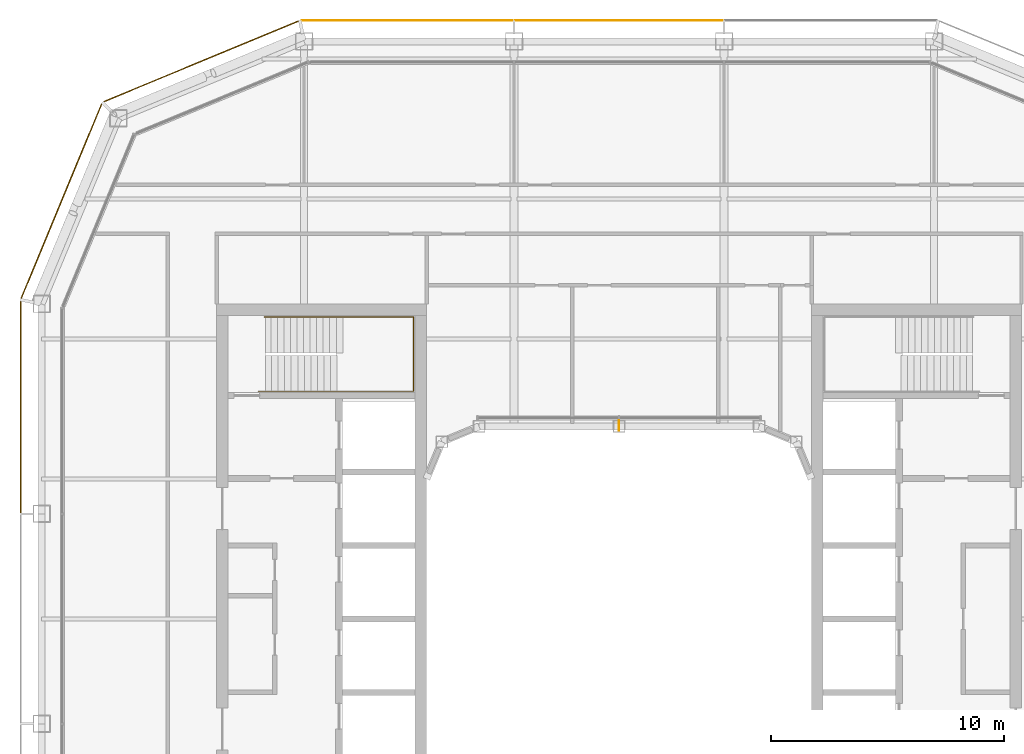
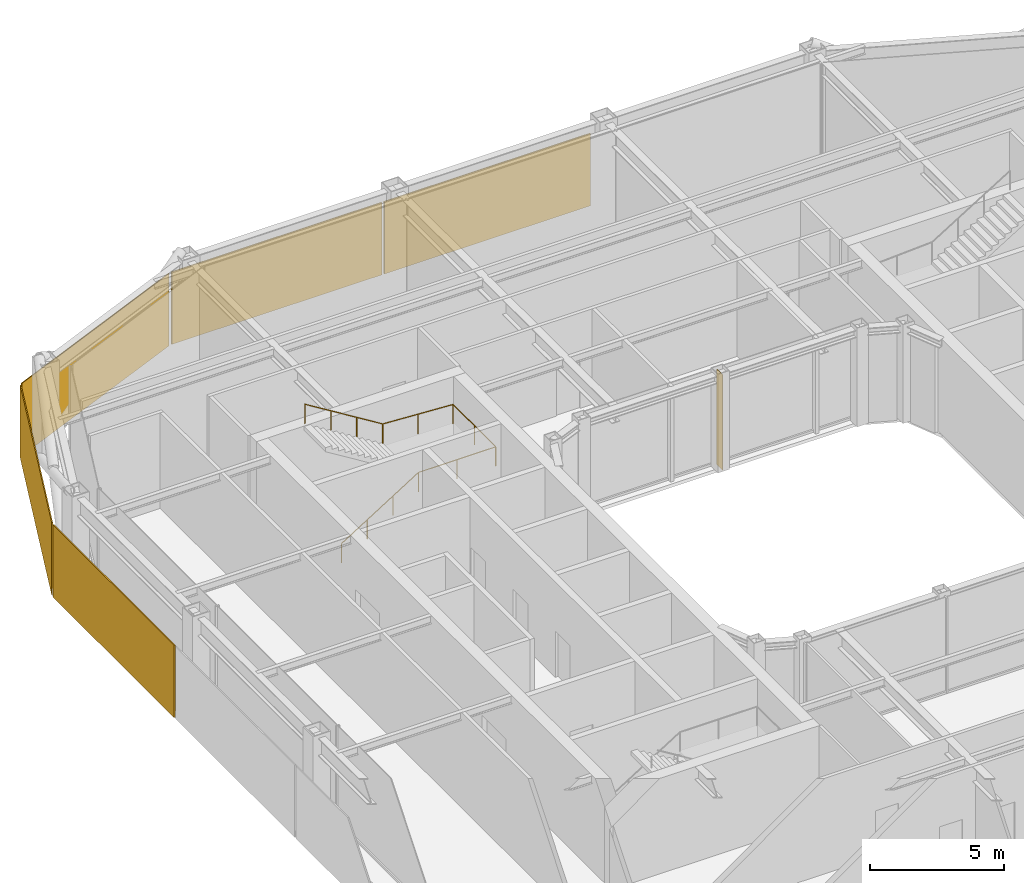
# One storey, part 16 of 17: 5 coverings, 1 railing, 1 shading device.
"""IFC4 building model written with IfcOpenShell, lengths in metres."""

import ifcopenshell
import ifcopenshell.guid

model = None  # the IFC model being written
_history = None  # IfcOwnerHistory: only IFC2X3 demands one
_inside = {}  # id of a spatial element -> (the spatial element, [elements in it])
_under = {}  # id of a project, library or spatial element -> (it, [spatial elements below it])
_declared = {}  # id of a project -> (the project, [libraries it declares])
_typed = {}  # id of a type object -> (the type object, [elements of that type])
_made_of = {}  # id of a material, layer set ... -> (it, [elements and type objects made of it])


def new_model(schema):
    """Start an empty IFC model of exactly this schema.

    Asked for "IFC4X3", IfcOpenShell would pick the latest addendum, in which some entities
    have other attributes; the version numbers below select the first issue.
    IFC2X3 requires an IfcOwnerHistory on every rooted entity: one is made here for all.
    """
    global model, _history
    if schema == "IFC4X3":
        model = ifcopenshell.file(schema_version=(4, 3, 0, 0))
    else:
        model = ifcopenshell.file(schema=schema)
    _inside.clear()
    _under.clear()
    _declared.clear()
    _typed.clear()
    _made_of.clear()
    _history = None
    if model.schema == "IFC2X3":
        org = make("IfcOrganization", Name="unknown")
        user = make(
            "IfcPersonAndOrganization",
            ThePerson=make("IfcPerson", FamilyName="unknown"),
            TheOrganization=org,
        )
        app = make(
            "IfcApplication",
            ApplicationDeveloper=org,
            Version="unknown",
            ApplicationFullName="unknown",
            ApplicationIdentifier="unknown",
        )
        _history = make(
            "IfcOwnerHistory",
            OwningUser=user,
            OwningApplication=app,
            ChangeAction="ADDED",
            CreationDate=0,
        )
    return model


def make(cls, **values):
    """One entity of the class cls with the attributes given. An attribute that is None is left unset."""
    return model.create_entity(
        cls, **{name: value for name, value in values.items() if value is not None}
    )


def rooted(cls, **values):
    """An entity with a GlobalId (a new one), such as an element, a storey or a relation."""
    return make(cls, GlobalId=ifcopenshell.guid.new(), OwnerHistory=_history, **values)


def si_unit(unit_type, name, prefix=None):
    """IfcSIUnit, for example si_unit("LENGTHUNIT", "METRE", prefix="MILLI")."""
    return make("IfcSIUnit", UnitType=unit_type, Prefix=prefix, Name=name)


def assignment(units):
    """IfcUnitAssignment: the units of a project."""
    return None if units is None else make("IfcUnitAssignment", Units=units)


def point(xyz):
    """IfcCartesianPoint."""
    return None if xyz is None else make("IfcCartesianPoint", Coordinates=xyz)


def direction(xyz):
    """IfcDirection."""
    return None if xyz is None else make("IfcDirection", DirectionRatios=xyz)


def frame(location, z_axis=None, x_axis=None):
    """IfcAxis2Placement3D, a coordinate frame: its origin and axes. An axis left out is left unset."""
    return make(
        "IfcAxis2Placement3D",
        Location=point(location),
        Axis=direction(z_axis),
        RefDirection=direction(x_axis),
    )


def frame_2d(location, x_axis=None):
    """IfcAxis2Placement2D, a coordinate frame in the plane: its origin and x axis."""
    return make(
        "IfcAxis2Placement2D", Location=point(location), RefDirection=direction(x_axis)
    )


def origin():
    """The frame at (0, 0, 0) with its axes left unset."""
    return frame((0.0, 0.0, 0.0))


def origin_2d():
    """The frame at (0, 0) in the plane with its x axis left unset."""
    return frame_2d((0.0, 0.0))


def place(relative_to, where):
    """IfcLocalPlacement: puts the frame where relative to a parent placement (None: the world)."""
    return make(
        "IfcLocalPlacement", PlacementRelTo=relative_to, RelativePlacement=where
    )


def context(
    kind, dimensions, precision=None, world=None, true_north=None, identifier=None
):
    """IfcGeometricRepresentationContext, for example the 3D "Model" context."""
    return make(
        "IfcGeometricRepresentationContext",
        ContextIdentifier=identifier,
        ContextType=kind,
        CoordinateSpaceDimension=dimensions,
        Precision=precision,
        WorldCoordinateSystem=world,
        TrueNorth=true_north,
    )


def subcontext(parent, identifier, kind, view, scale=None):
    """IfcGeometricRepresentationSubContext, for example "Body" below "Model"."""
    return make(
        "IfcGeometricRepresentationSubContext",
        ContextIdentifier=identifier,
        ContextType=kind,
        ParentContext=parent,
        TargetScale=scale,
        TargetView=view,
    )


def project(units=None, contexts=None):
    """IfcProject with its units and contexts."""
    return rooted(
        "IfcProject",
        Name="project",
        RepresentationContexts=contexts,
        UnitsInContext=assignment(units),
    )


def spatial(cls, under=None, at=None, **own):
    """A site, building, storey or space (cls), placed at a placement, below another one or the project."""
    s = rooted(cls, ObjectPlacement=at, **own)
    if under is not None:
        _under.setdefault(under.id(), (under, []))[1].append(s)
    return s


def profile(cls, at=None, kind="AREA", **sizes):
    """A parametric profile (cls). Its sizes go by their IFC names, for example OverallWidth=200.0."""
    return make(cls, ProfileType=kind, Position=at, **sizes)


def rectangle(**sizes):
    """IfcRectangleProfileDef."""
    return profile("IfcRectangleProfileDef", **sizes)


def circle(**sizes):
    """IfcCircleProfileDef."""
    return profile("IfcCircleProfileDef", **sizes)


def extrude(swept, where, along, depth):
    """IfcExtrudedAreaSolid: the profile swept, set in the frame where, extruded along a direction by depth."""
    return make(
        "IfcExtrudedAreaSolid",
        SweptArea=swept,
        Position=where,
        ExtrudedDirection=direction(along),
        Depth=depth,
    )


def shape(context_of_items, identifier, shape_type, items):
    """IfcShapeRepresentation: the items that make up one representation, for example the "Body"."""
    return make(
        "IfcShapeRepresentation",
        ContextOfItems=context_of_items,
        RepresentationIdentifier=identifier,
        RepresentationType=shape_type,
        Items=items,
    )


def material(Name=None, Category=None):
    """IfcMaterial."""
    return make("IfcMaterial", Name=Name, Category=Category)


def layer(
    of_material, thickness, ventilated=None, Name=None, Category=None, Priority=None
):
    """IfcMaterialLayer: one layer of a wall or slab, of a material (None: an air gap)."""
    return make(
        "IfcMaterialLayer",
        Material=of_material,
        LayerThickness=thickness,
        IsVentilated=ventilated,
        Name=Name,
        Category=Category,
        Priority=Priority,
    )


def layer_set(layers, Name=None):
    """IfcMaterialLayerSet."""
    return make("IfcMaterialLayerSet", MaterialLayers=layers, LayerSetName=Name)


def made_of(thing, what):
    """Note that an element or type object is made of a material, layer set ...; save() writes the relation."""
    if what is not None:
        _made_of.setdefault(what.id(), (what, []))[1].append(thing)
    return thing


def type_object(cls, material=None, **own):
    """A type object (cls), such as IfcWallType, which elements share."""
    return made_of(rooted(cls, **own), material)


def element(
    cls,
    number,
    at=None,
    inside=None,
    cuts=None,
    type_object=None,
    material=None,
    context=None,
    identifier="Body",
    shape_type=None,
    held_by="IfcProductDefinitionShape",
    body=None,
    shapes=None,
    **own,
):
    """One element of the class cls, such as IfcWall. Its Tag is "e" and its number.

    at: its placement. inside: the storey or other place that contains it. cuts: it is an
    opening in that element (IfcRelVoidsElement). A single representation is given by context,
    identifier, shape_type and body (its items); several are given by shapes. held_by: the class
    of the entity that holds the representations. save() writes the other relations.
    """
    e = rooted(cls, Tag="e%d" % number, ObjectPlacement=at, **own)
    if body is not None:
        shapes = [shape(context, identifier, shape_type, body)]
    if shapes is not None:
        e.Representation = make(held_by, Representations=shapes)
    if inside is not None:
        _inside.setdefault(inside.id(), (inside, []))[1].append(e)
    if cuts is not None:
        rooted(
            "IfcRelVoidsElement", RelatingBuildingElement=cuts, RelatedOpeningElement=e
        )
    if type_object is not None:
        _typed.setdefault(type_object.id(), (type_object, []))[1].append(e)
    return made_of(e, material)


def aggregate(whole, parts):
    """IfcRelAggregates: a whole, such as a stair, and the parts it consists of."""
    return rooted("IfcRelAggregates", RelatingObject=whole, RelatedObjects=parts)


def save(model, path):
    """Write the relations noted so far, then the file.

    IfcRelAggregates (storeys below a building ...), IfcRelContainedInSpatialStructure (elements
    in a storey), IfcRelDefinesByType, IfcRelAssociatesMaterial and IfcRelDeclares: one each for
    every whole, place, type object, material and project.
    """
    for whole, parts in _under.values():
        aggregate(whole, parts)
    for where, things in _inside.values():
        rooted(
            "IfcRelContainedInSpatialStructure",
            RelatedElements=things,
            RelatingStructure=where,
        )
    for kind, things in _typed.values():
        rooted("IfcRelDefinesByType", RelatedObjects=things, RelatingType=kind)
    for what, things in _made_of.values():
        rooted("IfcRelAssociatesMaterial", RelatedObjects=things, RelatingMaterial=what)
    for by, libraries in _declared.values():
        rooted("IfcRelDeclares", RelatingContext=by, RelatedDefinitions=libraries)
    model.write(path)


model = new_model("IFC4")

# Units and contexts
model_context = context("Model", 3, precision=1e-05, world=origin(), true_north=direction((0.0, 1.0)))
body_context = subcontext(model_context, "Body", "Model", "MODEL_VIEW")
ifc_project = project(units=[si_unit("LENGTHUNIT", "METRE"), si_unit("AREAUNIT", "SQUARE_METRE"), si_unit("VOLUMEUNIT", "CUBIC_METRE"), si_unit("PLANEANGLEUNIT", "RADIAN"), si_unit("MASSUNIT", "GRAM", prefix="KILO")], contexts=[model_context])

# Site, building, storey
site_placement = place(None, origin())
site = spatial("IfcSite", under=ifc_project, at=site_placement, CompositionType="ELEMENT")
building_placement = place(site_placement, origin())
building = spatial("IfcBuilding", under=site, at=building_placement, Name="Siwar Civic Tower", CompositionType="ELEMENT")
storey_placement = place(building_placement, frame((0.0, 0.0, 289.699951171875)))
storey = spatial("IfcBuildingStorey", under=building, at=storey_placement, Name="L62", CompositionType="ELEMENT", Elevation=289.699951171875)

# Railing
ifc_material_1 = material(Name="Stainless steel", Category="steel")
railing_type = type_object("IfcRailingType", Name="CORE-STAIR-HANDRAIL", PredefinedType="HANDRAIL", material=ifc_material_1)
railing_placement = place(storey_placement, frame((-15.449951171875, 9.758056640625, 0.173095703125)))
element("IfcRailing", 1, at=railing_placement, inside=storey, type_object=railing_type, Name="Stair handrail ST1", PredefinedType="HANDRAIL", context=body_context, shape_type="SweptSolid", body=[
    extrude(circle(Radius=0.02001953125, at=origin_2d()), frame((0.0, 0.0, 0.8798828125), z_axis=(0.847063342986, 0.0, 0.531491950051), x_axis=(0.0, 1.0, 0.0)), (0.0, 0.0, 1.0), 3.90771484375),
    extrude(circle(Radius=0.02001953125, at=origin_2d()), frame((3.31005859375, 0.0, 2.956787109375), z_axis=(1.0, 0.0, 0.0), x_axis=(0.0, 1.0, 0.0)), (0.0, 0.0, 1.0), 3.331787109375),
    extrude(circle(Radius=0.02001953125, at=origin_2d()), frame((6.641845703125, 0.0, 2.956787109375), z_axis=(0.0, 1.0, 0.0), x_axis=(-1.0, 0.0, 0.0)), (0.0, 0.0, 1.0), 3.183837890625),
    extrude(circle(Radius=0.02001953125, at=origin_2d()), frame((6.641845703125, 3.183837890625, 2.956787109375), z_axis=(-0.99837434197, 0.0, 0.056997134106), x_axis=(0.0, -1.0, 0.0)), (0.0, 0.0, 1.0), 3.036865234375),
    extrude(circle(Radius=0.02001953125, at=origin_2d()), frame((3.60986328125, 3.183837890625, 3.1298828125), z_axis=(-0.850606129759, 0.0, 0.525803396734), x_axis=(0.0, -1.0, 0.0)), (0.0, 0.0, 1.0), 3.949951171875),
    extrude(circle(Radius=0.02001953125, at=origin_2d()), origin(), (0.0, 0.0, 1.0), 0.85986328125),
    extrude(circle(Radius=0.02001953125, at=origin_2d()), frame((1.103271484375, 0.0, 0.6923828125)), (0.0, 0.0, 1.0), 0.85986328125),
    extrude(circle(Radius=0.02001953125, at=origin_2d()), frame((2.206787109375, 0.0, 1.384521484375)), (0.0, 0.0, 1.0), 0.85986328125),
    extrude(circle(Radius=0.02001953125, at=origin_2d()), frame((3.31005859375, 0.0, 2.076904296875)), (0.0, 0.0, 1.0), 0.85986328125),
    extrude(circle(Radius=0.02001953125, at=origin_2d()), frame((4.97607421875, 0.0, 2.076904296875)), (0.0, 0.0, 1.0), 0.85986328125),
    extrude(circle(Radius=0.02001953125, at=origin_2d()), frame((6.641845703125, 0.0, 2.076904296875)), (0.0, 0.0, 1.0), 0.85986328125),
    extrude(circle(Radius=0.02001953125, at=origin_2d()), frame((6.641845703125, 1.591796875, 2.076904296875)), (0.0, 0.0, 1.0), 0.85986328125),
    extrude(circle(Radius=0.02001953125, at=origin_2d()), frame((6.641845703125, 3.183837890625, 2.076904296875)), (0.0, 0.0, 1.0), 0.85986328125),
    extrude(circle(Radius=0.02001953125, at=origin_2d()), frame((5.1259765625, 3.183837890625, 2.16357421875)), (0.0, 0.0, 1.0), 0.85986328125),
    extrude(circle(Radius=0.02001953125, at=origin_2d()), frame((3.60986328125, 3.183837890625, 2.25)), (0.0, 0.0, 1.0), 0.85986328125),
    extrude(circle(Radius=0.02001953125, at=origin_2d()), frame((2.489990234375, 3.183837890625, 2.9423828125)), (0.0, 0.0, 1.0), 0.85986328125),
    extrude(circle(Radius=0.02001953125, at=origin_2d()), frame((1.369873046875, 3.183837890625, 3.634521484375)), (0.0, 0.0, 1.0), 0.85986328125),
    extrude(circle(Radius=0.02001953125, at=origin_2d()), frame((0.25, 3.183837890625, 4.326904296875)), (0.0, 0.0, 1.0), 0.85986328125),
])

# Shading device
ifc_material_2 = material(Name="Aluminium 6063-T6", Category="aluminium")
ifc_layer_1 = layer(ifc_material_2, 0.02001953125)
ifc_layer_set_1 = layer_set([ifc_layer_1], Name="Aluminium 6063-T6")
shading_device_type = type_object("IfcShadingDeviceType", Name="ENV-FIN", PredefinedType="JALOUSIE", material=ifc_layer_set_1)
shading_device_placement = place(storey_placement, frame((0.0, 8.294921875, 0.0), z_axis=(0.0, 0.0, 1.0), x_axis=(-1.0, 0.0, 0.0)))
element("IfcShadingDevice", 2, at=shading_device_placement, inside=storey, type_object=shading_device_type, Name="SUNSHADE fin WN 1", PredefinedType="JALOUSIE", context=body_context, shape_type="SweptSolid", body=[
    extrude(rectangle(XDim=0.02001953125, YDim=0.449951171875, at=origin_2d()), origin(), (0.0, 0.0, 1.0), 4.35009765625),
])

# Coverings
ifc_material_3 = material(Name="Perforated aluminium cassette, pale metal", Category="aluminium")
ifc_layer_2 = layer(ifc_material_3, 0.0400390625)
ifc_layer_set_2 = layer_set([ifc_layer_2], Name="Perforated aluminium cassette, pale metal")
covering_type_1 = type_object("IfcCoveringType", Name="ENV-OUTER SKIN OS-1", PredefinedType="CLADDING", material=ifc_layer_set_2)
covering_1_placement = place(storey_placement, frame((0.0, 25.64990234375, -0.14990234375), z_axis=(0.0, 0.0, 1.0), x_axis=(-1.0, 0.0, 0.0)))
element("IfcCovering", 3, at=covering_1_placement, inside=storey, type_object=covering_type_1, Name="OUTER SKIN OS-1 N 2", PredefinedType="CLADDING", context=body_context, shape_type="SweptSolid", body=[
    extrude(rectangle(XDim=8.89990234375, YDim=0.0400390625, at=origin_2d()), origin(), (0.0, 0.0, 1.0), 3.300048828125),
])
covering_2_placement = place(storey_placement, frame((-9.07958984375, 25.64990234375, -0.14990234375), z_axis=(0.0, 0.0, 1.0), x_axis=(-1.0, 0.0, 0.0)))
element("IfcCovering", 4, at=covering_2_placement, inside=storey, type_object=covering_type_1, Name="OUTER SKIN OS-1 N 3", PredefinedType="CLADDING", context=body_context, shape_type="SweptSolid", body=[
    extrude(rectangle(XDim=9.05908203125, YDim=0.0400390625, at=origin_2d()), origin(), (0.0, 0.0, 1.0), 3.300048828125),
])
covering_3_placement = place(storey_placement, frame((-17.911376953125, 23.89697265625, -0.14990234375), z_axis=(0.0, 0.0, 1.0), x_axis=(-0.923879532511, -0.382683432365, 0.0)))
element("IfcCovering", 5, at=covering_3_placement, inside=storey, type_object=covering_type_1, Name="OUTER SKIN OS-1 NW1 1", PredefinedType="CLADDING", context=body_context, shape_type="SweptSolid", body=[
    extrude(rectangle(XDim=9.022216796875, YDim=0.0400390625, at=origin_2d()), origin(), (0.0, 0.0, 1.0), 3.300048828125),
])
ifc_material_4 = material(Name="Perforated aluminium cassette, pale metal", Category="aluminium")
ifc_layer_3 = layer(ifc_material_4, 0.044921875)
ifc_layer_set_3 = layer_set([ifc_layer_3], Name="Perforated aluminium cassette, pale metal")
covering_type_2 = type_object("IfcCoveringType", Name="ENV-OUTER SKIN OS-2", PredefinedType="CLADDING", material=ifc_layer_set_3)
covering_4_placement = place(storey_placement, frame((-23.89697265625, 17.911376953125, -0.14990234375), z_axis=(0.0, 0.0, 1.0), x_axis=(-0.382683432365, -0.923879532511, 0.0)))
element("IfcCovering", 6, at=covering_4_placement, inside=storey, type_object=covering_type_2, Name="OUTER SKIN OS-2 NW2 1", PredefinedType="CLADDING", context=body_context, shape_type="SweptSolid", body=[
    extrude(rectangle(XDim=9.022216796875, YDim=0.044921875, at=origin_2d()), origin(), (0.0, 0.0, 1.0), 3.300048828125),
])
ifc_material_5 = material(Name="Perforated aluminium cassette, pale metal", Category="aluminium")
ifc_layer_4 = layer(ifc_material_5, 0.050048828125)
ifc_layer_set_4 = layer_set([ifc_layer_4], Name="Perforated aluminium cassette, pale metal")
covering_type_3 = type_object("IfcCoveringType", Name="ENV-OUTER SKIN OS-3", PredefinedType="CLADDING", material=ifc_layer_set_4)
covering_5_placement = place(storey_placement, frame((-25.64990234375, 9.07958984375, -0.14990234375), z_axis=(0.0, 0.0, 1.0), x_axis=(0.0, -1.0, 0.0)))
element("IfcCovering", 7, at=covering_5_placement, inside=storey, type_object=covering_type_3, Name="OUTER SKIN OS-3 W 1", PredefinedType="CLADDING", context=body_context, shape_type="SweptSolid", body=[
    extrude(rectangle(XDim=9.05908203125, YDim=0.050048828125, at=origin_2d()), origin(), (0.0, 0.0, 1.0), 3.300048828125),
])

save(model, "model.ifc")
